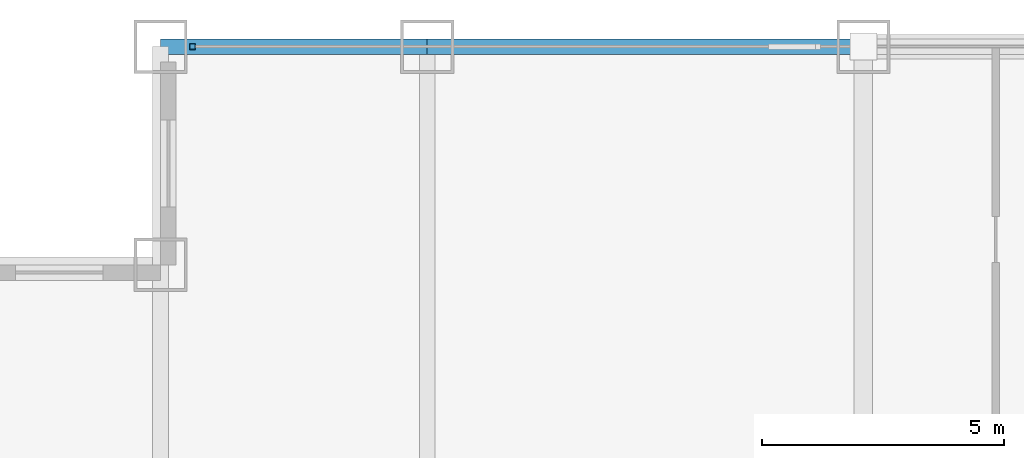
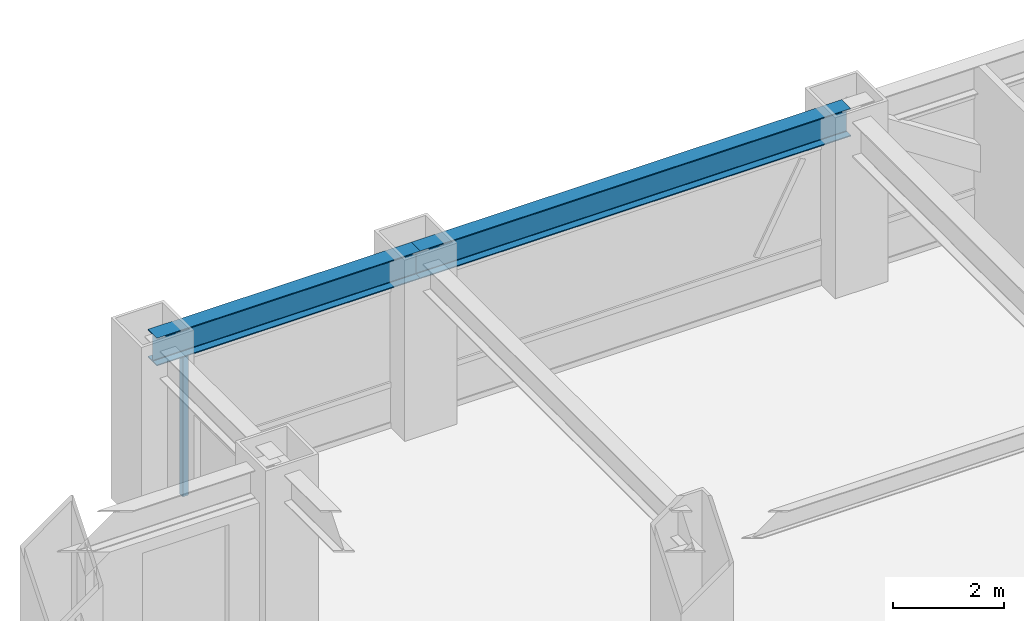
# One storey, part 14 of 24: 2 beams, 1 member, 1 element without a shape of its own.
"""IFC4 building model written with IfcOpenShell, lengths in metres."""

from ifc_helpers import new_model, si_unit, direction, frame, origin, origin_2d, place, context, subcontext, project, spatial, hollow_rectangle, i_section, extrude, source, transform, mapped, material, material_profile, profile_set, type_object, element, aggregate, save


model = new_model("IFC4")

# Units and contexts
model_context = context("Model", 3, precision=1e-05, world=origin(), true_north=direction((0.0, 1.0)))
body_context = subcontext(model_context, "Body", "Model", "MODEL_VIEW")
ifc_project = project(units=[si_unit("LENGTHUNIT", "METRE"), si_unit("AREAUNIT", "SQUARE_METRE"), si_unit("VOLUMEUNIT", "CUBIC_METRE"), si_unit("PLANEANGLEUNIT", "RADIAN"), si_unit("MASSUNIT", "GRAM", prefix="KILO")], contexts=[model_context])

# Site, building, storey
site_placement = place(None, origin())
site = spatial("IfcSite", under=ifc_project, at=site_placement, CompositionType="ELEMENT")
building_placement = place(site_placement, origin())
building = spatial("IfcBuilding", under=site, at=building_placement, Name="Khorayat Bourse Tower", CompositionType="ELEMENT")
storey_placement = place(building_placement, frame((0.0, 0.0, 203.10009765625)))
storey = spatial("IfcBuildingStorey", under=building, at=storey_placement, Name="L47", CompositionType="ELEMENT", Elevation=203.10009765625)

# Beams
ifc_material_1 = material(Name="Steel ASTM A992 Grade 50", Category="steel")
ifc_material_profile_1 = material_profile(ifc_material_1, i_section(OverallWidth=0.324951171875, OverallDepth=0.615966796875, WebThickness=0.013916015625, FlangeThickness=0.021484375, FilletRadius=0.01611328125, at=origin_2d()), Name="W610X174")
ifc_profile_set_1 = profile_set([ifc_material_profile_1], Name="Steel ASTM A992 Grade 50")
beam_type = type_object("IfcBeamType", Name="BM-SPAN-610", PredefinedType="SPANDREL", material=ifc_profile_set_1)
shared_shape_1 = source(origin(), body_context, "Body", "SweptSolid", [
    extrude(i_section(OverallWidth=0.324951171875, OverallDepth=0.615966796875, WebThickness=0.013916015625, FlangeThickness=0.021484375, FilletRadius=0.01611328125, at=origin_2d()), origin(), (0.0, 0.0, 1.0), 5.5),
])
beam_1_placement = place(storey_placement, frame((-25.5, 30.0, 3.471923828125), z_axis=(1.0, 0.0, 0.0), x_axis=(0.0, 1.0, 0.0)))
element("IfcBeam", 1, at=beam_1_placement, inside=storey, type_object=beam_type, Name="L47 BM-SPAN-610 BM-L47-SPN-051", PredefinedType="SPANDREL", context=body_context, shape_type="MappedRepresentation", body=[
    mapped(shared_shape_1, transform((0.0, 0.0, 0.0), scale=1.0)),
])
shared_shape_2 = source(origin(), body_context, "Body", "SweptSolid", [
    extrude(i_section(OverallWidth=0.324951171875, OverallDepth=0.615966796875, WebThickness=0.013916015625, FlangeThickness=0.021484375, FilletRadius=0.01611328125, at=origin_2d()), origin(), (0.0, 0.0, 1.0), 9.0),
])
beam_2_placement = place(storey_placement, frame((-20.0, 30.0, 3.471923828125), z_axis=(1.0, 0.0, 0.0), x_axis=(0.0, 1.0, 0.0)))
element("IfcBeam", 2, at=beam_2_placement, inside=storey, type_object=beam_type, Name="L47 BM-SPAN-610 BM-L47-SPN-050", PredefinedType="SPANDREL", context=body_context, shape_type="MappedRepresentation", body=[
    mapped(shared_shape_2, transform((0.0, 0.0, 0.0), scale=1.0)),
])

# Curtain wall, member
ifc_material_2 = material(Name="Aluminium EN AW-6063 T6", Category="aluminium")
curtain_wall_type = type_object("IfcCurtainWallType", Name="CW-SYS-03", PredefinedType="NOTDEFINED", material=ifc_material_2)
curtain_wall_placement = place(storey_placement, origin())
curtain_wall = element("IfcCurtainWall", 3, at=curtain_wall_placement, inside=storey, type_object=curtain_wall_type, Name="L47 Curtain Wall CW-L47-N1", PredefinedType="NOTDEFINED")
ifc_material_profile_2 = material_profile(ifc_material_2, hollow_rectangle(XDim=0.1201171875, YDim=0.1201171875, WallThickness=0.0048828125, at=origin_2d()), Name="ALU 120x120x5")
ifc_profile_set_2 = profile_set([ifc_material_profile_2], Name="Aluminium EN AW-6063 T6")
member_type = type_object("IfcMemberType", Name="CWM-VERT-120", PredefinedType="MULLION", material=ifc_profile_set_2)
shared_shape_3 = source(origin(), body_context, "Body", "SweptSolid", [
    extrude(hollow_rectangle(XDim=0.1201171875, YDim=0.1201171875, WallThickness=0.0048828125, at=origin_2d()), origin(), (0.0, 0.0, 1.0), 3.1298828125),
])
member_placement = place(storey_placement, frame((-24.840087890625, 30.0, 0.0), z_axis=(0.0, 0.0, 1.0), x_axis=(0.0, 1.0, 0.0)))
member = element("IfcMember", 4, at=member_placement, type_object=member_type, Name="CW-L47-N1 Vertical Mullion 1", PredefinedType="MULLION", context=body_context, shape_type="MappedRepresentation", body=[
    mapped(shared_shape_3, transform((0.0, 0.0, 0.0), scale=1.0)),
])
aggregate(curtain_wall, [member])

save(model, "model.ifc")
